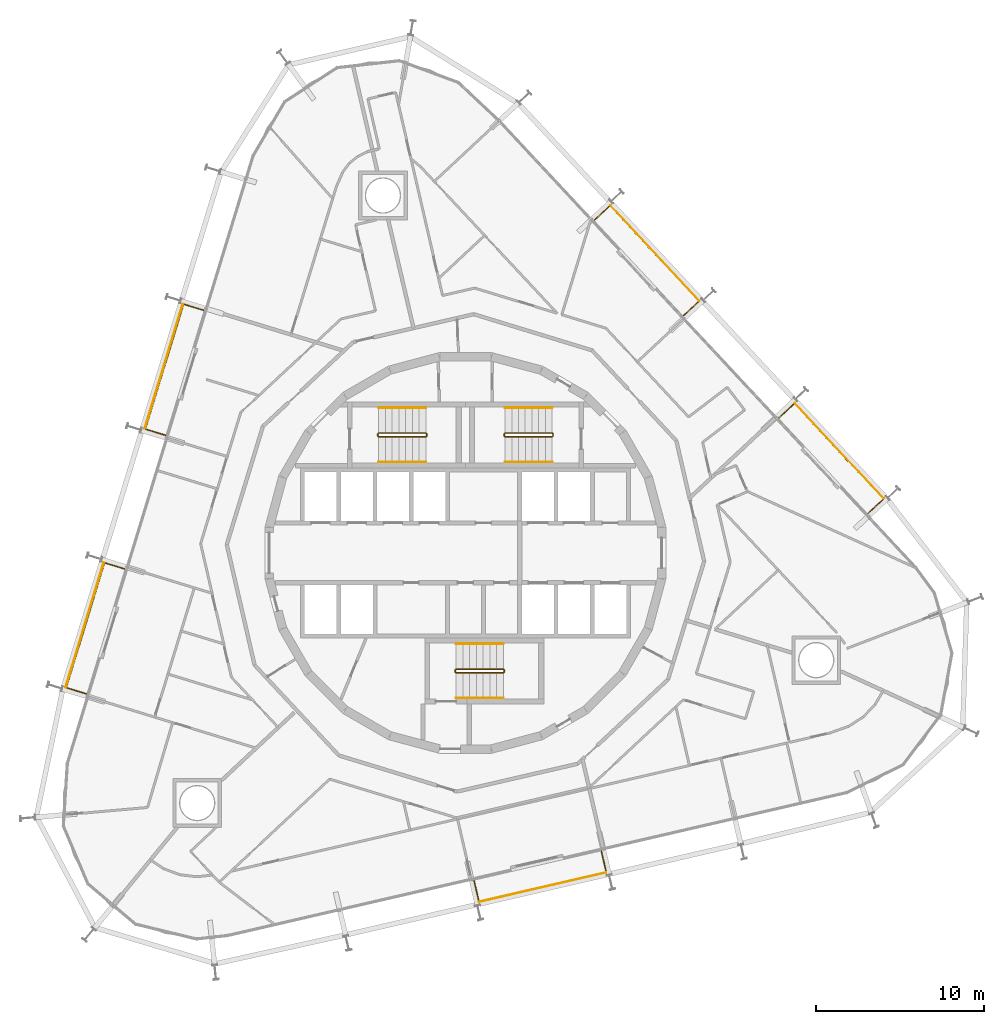
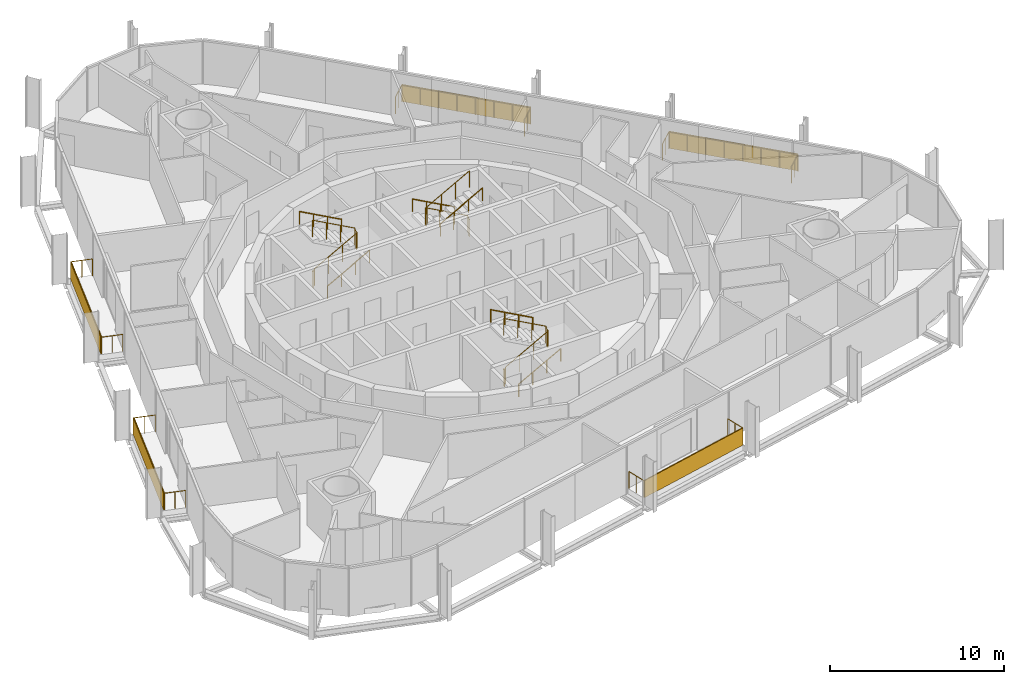
# One storey, part 18 of 18: 14 railings, 5 shading devices.
"""IFC4 building model written with IfcOpenShell, lengths in metres."""

from ifc_helpers import new_model, si_unit, direction, frame, origin, origin_2d, place, context, subcontext, project, spatial, rectangle, circle, extrude, material, layer, layer_set, type_object, element, save


model = new_model("IFC4")

# Units and contexts
model_context = context("Model", 3, precision=1e-05, world=origin(), true_north=direction((0.0, 1.0)))
body_context = subcontext(model_context, "Body", "Model", "MODEL_VIEW")
ifc_project = project(units=[si_unit("LENGTHUNIT", "METRE"), si_unit("AREAUNIT", "SQUARE_METRE"), si_unit("VOLUMEUNIT", "CUBIC_METRE"), si_unit("PLANEANGLEUNIT", "RADIAN"), si_unit("MASSUNIT", "GRAM", prefix="KILO")], contexts=[model_context])

# Site, building, storey
site_placement = place(None, origin())
site = spatial("IfcSite", under=ifc_project, at=site_placement, CompositionType="ELEMENT")
building_placement = place(site_placement, origin())
building = spatial("IfcBuilding", under=site, at=building_placement, Name="Spindle Arch Residences", CompositionType="ELEMENT")
storey_placement = place(building_placement, frame((0.0, 0.0, 130.89990234375)))
storey = spatial("IfcBuildingStorey", under=building, at=storey_placement, Name="L32", CompositionType="ELEMENT", Elevation=130.89990234375)

# Railings
ifc_material_1 = material(Name="Bronze anodised aluminium guard with glass infill", Category="aluminium")
railing_type_1 = type_object("IfcRailingType", Name="Balcony guard 1200", PredefinedType="GUARDRAIL", material=ifc_material_1)
railing_1_placement = place(storey_placement, frame((23.90185546875, 2.34619140625, 0.0)))
element("IfcRailing", 1, at=railing_1_placement, inside=storey, type_object=railing_type_1, Name="Guard L32 bay 6", PredefinedType="GUARDRAIL", context=body_context, shape_type="SweptSolid", body=[
    extrude(circle(Radius=0.02392578125, at=origin_2d()), frame((0.0, 0.0, 1.17578125), z_axis=(0.731379904041, 0.681970260323, 0.0), x_axis=(-0.681970260323, 0.731379904041, 0.0)), (0.0, 0.0, 1.0), 1.25),
    extrude(circle(Radius=0.02392578125, at=origin_2d()), frame((0.914306640625, 0.8525390625, 1.17578125), z_axis=(-0.681991953625, 0.731359675666, 0.0), x_axis=(-0.731359675666, -0.681991953625, 0.0)), (0.0, 0.0, 1.0), 7.75927734375),
    extrude(circle(Radius=0.02392578125, at=origin_2d()), frame((-4.37744140625, 6.52734375, 1.17578125), z_axis=(-0.731379904041, -0.681970260323, 0.0), x_axis=(0.681970260323, -0.731379904041, 0.0)), (0.0, 0.0, 1.0), 1.25),
    extrude(circle(Radius=0.02099609375, at=origin_2d()), origin(), (0.0, 0.0, 1.0), 1.15185546875),
    extrude(circle(Radius=0.02099609375, at=origin_2d()), frame((0.45703125, 0.42626953125, 0.0)), (0.0, 0.0, 1.0), 1.15185546875),
    extrude(circle(Radius=0.02099609375, at=origin_2d()), frame((0.914306640625, 0.8525390625, 0.0)), (0.0, 0.0, 1.0), 1.15185546875),
    extrude(circle(Radius=0.02099609375, at=origin_2d()), frame((0.158447265625, 1.663330078125, 0.0)), (0.0, 0.0, 1.0), 1.15185546875),
    extrude(circle(Radius=0.02099609375, at=origin_2d()), frame((-0.59765625, 2.473876953125, 0.0)), (0.0, 0.0, 1.0), 1.15185546875),
    extrude(circle(Radius=0.02099609375, at=origin_2d()), frame((-1.353515625, 3.28466796875, 0.0)), (0.0, 0.0, 1.0), 1.15185546875),
    extrude(circle(Radius=0.02099609375, at=origin_2d()), frame((-2.109619140625, 4.09521484375, 0.0)), (0.0, 0.0, 1.0), 1.15185546875),
    extrude(circle(Radius=0.02099609375, at=origin_2d()), frame((-2.865478515625, 4.906005859375, 0.0)), (0.0, 0.0, 1.0), 1.15185546875),
    extrude(circle(Radius=0.02099609375, at=origin_2d()), frame((-3.62158203125, 5.716552734375, 0.0)), (0.0, 0.0, 1.0), 1.15185546875),
    extrude(circle(Radius=0.02099609375, at=origin_2d()), frame((-4.37744140625, 6.52734375, 0.0)), (0.0, 0.0, 1.0), 1.15185546875),
    extrude(circle(Radius=0.02099609375, at=origin_2d()), frame((-4.83447265625, 6.10107421875, 0.0)), (0.0, 0.0, 1.0), 1.15185546875),
    extrude(circle(Radius=0.02099609375, at=origin_2d()), frame((-5.291748046875, 5.6748046875, 0.0)), (0.0, 0.0, 1.0), 1.15185546875),
])
railing_2_placement = place(storey_placement, frame((12.9501953125, 14.090576171875, 0.0)))
element("IfcRailing", 2, at=railing_2_placement, inside=storey, type_object=railing_type_1, Name="Guard L32 bay 8", PredefinedType="GUARDRAIL", context=body_context, shape_type="SweptSolid", body=[
    extrude(circle(Radius=0.02392578125, at=origin_2d()), frame((0.0, 0.0, 1.17578125), z_axis=(0.731289056092, 0.682067677317, 0.0), x_axis=(-0.682067677317, 0.731289056092, 0.0)), (0.0, 0.0, 1.0), 1.25),
    extrude(circle(Radius=0.02392578125, at=origin_2d()), frame((0.9140625, 0.8525390625, 1.17578125), z_axis=(-0.682007647712, 0.731345040635, 0.0), x_axis=(-0.731345040635, -0.682007647712, 0.0)), (0.0, 0.0, 1.0), 7.759033203125),
    extrude(circle(Radius=0.02392578125, at=origin_2d()), frame((-4.377685546875, 6.527099609375, 1.17578125), z_axis=(-0.731386486467, -0.681963200923, 0.0), x_axis=(0.681963200923, -0.731386486467, 0.0)), (0.0, 0.0, 1.0), 1.249755859375),
    extrude(circle(Radius=0.02099609375, at=origin_2d()), origin(), (0.0, 0.0, 1.0), 1.15185546875),
    extrude(circle(Radius=0.02099609375, at=origin_2d()), frame((0.45703125, 0.42626953125, 0.0)), (0.0, 0.0, 1.0), 1.15185546875),
    extrude(circle(Radius=0.02099609375, at=origin_2d()), frame((0.9140625, 0.8525390625, 0.0)), (0.0, 0.0, 1.0), 1.15185546875),
    extrude(circle(Radius=0.02099609375, at=origin_2d()), frame((0.158203125, 1.6630859375, 0.0)), (0.0, 0.0, 1.0), 1.15185546875),
    extrude(circle(Radius=0.02099609375, at=origin_2d()), frame((-0.597900390625, 2.473876953125, 0.0)), (0.0, 0.0, 1.0), 1.15185546875),
    extrude(circle(Radius=0.02099609375, at=origin_2d()), frame((-1.353759765625, 3.284423828125, 0.0)), (0.0, 0.0, 1.0), 1.15185546875),
    extrude(circle(Radius=0.02099609375, at=origin_2d()), frame((-2.10986328125, 4.09521484375, 0.0)), (0.0, 0.0, 1.0), 1.15185546875),
    extrude(circle(Radius=0.02099609375, at=origin_2d()), frame((-2.86572265625, 4.90576171875, 0.0)), (0.0, 0.0, 1.0), 1.15185546875),
    extrude(circle(Radius=0.02099609375, at=origin_2d()), frame((-3.621826171875, 5.716552734375, 0.0)), (0.0, 0.0, 1.0), 1.15185546875),
    extrude(circle(Radius=0.02099609375, at=origin_2d()), frame((-4.377685546875, 6.527099609375, 0.0)), (0.0, 0.0, 1.0), 1.15185546875),
    extrude(circle(Radius=0.02099609375, at=origin_2d()), frame((-4.834716796875, 6.10107421875, 0.0)), (0.0, 0.0, 1.0), 1.15185546875),
    extrude(circle(Radius=0.02099609375, at=origin_2d()), frame((-5.291748046875, 5.6748046875, 0.0)), (0.0, 0.0, 1.0), 1.15185546875),
])
railing_3_placement = place(storey_placement, frame((-15.5478515625, 14.40771484375, 0.0)))
element("IfcRailing", 3, at=railing_3_placement, inside=storey, type_object=railing_type_1, Name="Guard L32 bay 14", PredefinedType="GUARDRAIL", context=body_context, shape_type="SweptSolid", body=[
    extrude(circle(Radius=0.02392578125, at=origin_2d()), frame((0.0, 0.0, 1.17578125), z_axis=(-0.95629696894, 0.292397173714, 0.0), x_axis=(-0.292397173714, -0.95629696894, 0.0)), (0.0, 0.0, 1.0), 1.25),
    extrude(circle(Radius=0.02392578125, at=origin_2d()), frame((-1.1953125, 0.365478515625, 1.17578125), z_axis=(-0.29236961561, -0.956305394666, 0.0), x_axis=(0.956305394666, -0.29236961561, 0.0)), (0.0, 0.0, 1.0), 7.75927734375),
    extrude(circle(Radius=0.02392578125, at=origin_2d()), frame((-3.4638671875, -7.0546875, 1.17578125), z_axis=(0.95629696894, -0.292397173714, 0.0), x_axis=(0.292397173714, 0.95629696894, 0.0)), (0.0, 0.0, 1.0), 1.25),
    extrude(circle(Radius=0.02099609375, at=origin_2d()), origin(), (0.0, 0.0, 1.0), 1.15185546875),
    extrude(circle(Radius=0.02099609375, at=origin_2d()), frame((-0.59765625, 0.1826171875, 0.0)), (0.0, 0.0, 1.0), 1.15185546875),
    extrude(circle(Radius=0.02099609375, at=origin_2d()), frame((-1.1953125, 0.365478515625, 0.0)), (0.0, 0.0, 1.0), 1.15185546875),
    extrude(circle(Radius=0.02099609375, at=origin_2d()), frame((-1.519287109375, -0.694580078125, 0.0)), (0.0, 0.0, 1.0), 1.15185546875),
    extrude(circle(Radius=0.02099609375, at=origin_2d()), frame((-1.843505859375, -1.754638671875, 0.0)), (0.0, 0.0, 1.0), 1.15185546875),
    extrude(circle(Radius=0.02099609375, at=origin_2d()), frame((-2.16748046875, -2.814697265625, 0.0)), (0.0, 0.0, 1.0), 1.15185546875),
    extrude(circle(Radius=0.02099609375, at=origin_2d()), frame((-2.49169921875, -3.87451171875, 0.0)), (0.0, 0.0, 1.0), 1.15185546875),
    extrude(circle(Radius=0.02099609375, at=origin_2d()), frame((-2.815673828125, -4.9345703125, 0.0)), (0.0, 0.0, 1.0), 1.15185546875),
    extrude(circle(Radius=0.02099609375, at=origin_2d()), frame((-3.139892578125, -5.99462890625, 0.0)), (0.0, 0.0, 1.0), 1.15185546875),
    extrude(circle(Radius=0.02099609375, at=origin_2d()), frame((-3.4638671875, -7.0546875, 0.0)), (0.0, 0.0, 1.0), 1.15185546875),
    extrude(circle(Radius=0.02099609375, at=origin_2d()), frame((-2.8662109375, -7.2373046875, 0.0)), (0.0, 0.0, 1.0), 1.15185546875),
    extrude(circle(Radius=0.02099609375, at=origin_2d()), frame((-2.2685546875, -7.420166015625, 0.0)), (0.0, 0.0, 1.0), 1.15185546875),
])
railing_4_placement = place(storey_placement, frame((-20.242919921875, -0.948974609375, 0.0)))
element("IfcRailing", 4, at=railing_4_placement, inside=storey, type_object=railing_type_1, Name="Guard L32 bay 16", PredefinedType="GUARDRAIL", context=body_context, shape_type="SweptSolid", body=[
    extrude(circle(Radius=0.02392578125, at=origin_2d()), frame((0.0, 0.0, 1.17578125), z_axis=(-0.95629696894, 0.292397173714, 0.0), x_axis=(-0.292397173714, -0.95629696894, 0.0)), (0.0, 0.0, 1.0), 1.25),
    extrude(circle(Radius=0.02392578125, at=origin_2d()), frame((-1.1953125, 0.365478515625, 1.17578125), z_axis=(-0.29236961561, -0.956305394666, 0.0), x_axis=(0.956305394666, -0.29236961561, 0.0)), (0.0, 0.0, 1.0), 7.75927734375),
    extrude(circle(Radius=0.02392578125, at=origin_2d()), frame((-3.4638671875, -7.0546875, 1.17578125), z_axis=(0.95629696894, -0.292397173714, 0.0), x_axis=(0.292397173714, 0.95629696894, 0.0)), (0.0, 0.0, 1.0), 1.25),
    extrude(circle(Radius=0.02099609375, at=origin_2d()), origin(), (0.0, 0.0, 1.0), 1.15185546875),
    extrude(circle(Radius=0.02099609375, at=origin_2d()), frame((-0.59765625, 0.1826171875, 0.0)), (0.0, 0.0, 1.0), 1.15185546875),
    extrude(circle(Radius=0.02099609375, at=origin_2d()), frame((-1.1953125, 0.365478515625, 0.0)), (0.0, 0.0, 1.0), 1.15185546875),
    extrude(circle(Radius=0.02099609375, at=origin_2d()), frame((-1.519287109375, -0.694580078125, 0.0)), (0.0, 0.0, 1.0), 1.15185546875),
    extrude(circle(Radius=0.02099609375, at=origin_2d()), frame((-1.843505859375, -1.754638671875, 0.0)), (0.0, 0.0, 1.0), 1.15185546875),
    extrude(circle(Radius=0.02099609375, at=origin_2d()), frame((-2.16748046875, -2.814697265625, 0.0)), (0.0, 0.0, 1.0), 1.15185546875),
    extrude(circle(Radius=0.02099609375, at=origin_2d()), frame((-2.49169921875, -3.87451171875, 0.0)), (0.0, 0.0, 1.0), 1.15185546875),
    extrude(circle(Radius=0.02099609375, at=origin_2d()), frame((-2.815673828125, -4.9345703125, 0.0)), (0.0, 0.0, 1.0), 1.15185546875),
    extrude(circle(Radius=0.02099609375, at=origin_2d()), frame((-3.139892578125, -5.99462890625, 0.0)), (0.0, 0.0, 1.0), 1.15185546875),
    extrude(circle(Radius=0.02099609375, at=origin_2d()), frame((-3.4638671875, -7.0546875, 0.0)), (0.0, 0.0, 1.0), 1.15185546875),
    extrude(circle(Radius=0.02099609375, at=origin_2d()), frame((-2.8662109375, -7.2373046875, 0.0)), (0.0, 0.0, 1.0), 1.15185546875),
    extrude(circle(Radius=0.02099609375, at=origin_2d()), frame((-2.2685546875, -7.420166015625, 0.0)), (0.0, 0.0, 1.0), 1.15185546875),
])
railing_5_placement = place(storey_placement, frame((0.51220703125, -19.464599609375, 0.0)))
element("IfcRailing", 5, at=railing_5_placement, inside=storey, type_object=railing_type_1, Name="Guard L32 bay 22", PredefinedType="GUARDRAIL", context=body_context, shape_type="SweptSolid", body=[
    extrude(circle(Radius=0.02392578125, at=origin_2d()), frame((0.0, 0.0, 1.17578125), z_axis=(0.224802449297, -0.974404361028, 0.0), x_axis=(0.974404361028, 0.224802449297, 0.0)), (0.0, 0.0, 1.0), 1.25),
    extrude(circle(Radius=0.02392578125, at=origin_2d()), frame((0.281005859375, -1.218017578125, 1.17578125), z_axis=(0.974365204353, 0.224972106149, 0.0), x_axis=(-0.224972106149, 0.974365204353, 0.0)), (0.0, 0.0, 1.0), 7.75927734375),
    extrude(circle(Radius=0.02392578125, at=origin_2d()), frame((7.84130859375, 0.527587890625, 1.17578125), z_axis=(-0.224845239705, 0.974394487968, 0.0), x_axis=(-0.974394487968, -0.224845239705, 0.0)), (0.0, 0.0, 1.0), 1.249755859375),
    extrude(circle(Radius=0.02099609375, at=origin_2d()), origin(), (0.0, 0.0, 1.0), 1.15185546875),
    extrude(circle(Radius=0.02099609375, at=origin_2d()), frame((0.140625, -0.60888671875, 0.0)), (0.0, 0.0, 1.0), 1.15185546875),
    extrude(circle(Radius=0.02099609375, at=origin_2d()), frame((0.281005859375, -1.218017578125, 0.0)), (0.0, 0.0, 1.0), 1.15185546875),
    extrude(circle(Radius=0.02099609375, at=origin_2d()), frame((1.361083984375, -0.96875, 0.0)), (0.0, 0.0, 1.0), 1.15185546875),
    extrude(circle(Radius=0.02099609375, at=origin_2d()), frame((2.441162109375, -0.71923828125, 0.0)), (0.0, 0.0, 1.0), 1.15185546875),
    extrude(circle(Radius=0.02099609375, at=origin_2d()), frame((3.521240234375, -0.469970703125, 0.0)), (0.0, 0.0, 1.0), 1.15185546875),
    extrude(circle(Radius=0.02099609375, at=origin_2d()), frame((4.60107421875, -0.220458984375, 0.0)), (0.0, 0.0, 1.0), 1.15185546875),
    extrude(circle(Radius=0.02099609375, at=origin_2d()), frame((5.68115234375, 0.02880859375, 0.0)), (0.0, 0.0, 1.0), 1.15185546875),
    extrude(circle(Radius=0.02099609375, at=origin_2d()), frame((6.76123046875, 0.2783203125, 0.0)), (0.0, 0.0, 1.0), 1.15185546875),
    extrude(circle(Radius=0.02099609375, at=origin_2d()), frame((7.84130859375, 0.527587890625, 0.0)), (0.0, 0.0, 1.0), 1.15185546875),
    extrude(circle(Radius=0.02099609375, at=origin_2d()), frame((7.70068359375, 1.136474609375, 0.0)), (0.0, 0.0, 1.0), 1.15185546875),
    extrude(circle(Radius=0.02099609375, at=origin_2d()), frame((7.560302734375, 1.745361328125, 0.0)), (0.0, 0.0, 1.0), 1.15185546875),
])

# Shading devices
ifc_material_2 = material(Name="Bronze perforated cobogo screen")
ifc_layer = layer(ifc_material_2, 0.0390625)
ifc_layer_set = layer_set([ifc_layer], Name="Cobogo screen 1200")
shading_device_type = type_object("IfcShadingDeviceType", Name="Cobogo screen 1200", PredefinedType="USERDEFINED", material=ifc_layer_set)
for number, where, z_axis, x_axis, name in (
    (6, (22.199951171875, 6.063720703125, 0.0), (0.0, 0.0, 1.0), (-0.681998360062, 0.731353701619, 0.0), "Cobogo screen L32 bay 6"),
    (7, (11.248046875, 17.80810546875, 0.0), (0.0, 0.0, 1.0), (-0.681998360062, 0.731353701619, 0.0), "Cobogo screen L32 bay 8"),
    (8, (-17.916259765625, 11.074951171875, 0.0), (0.0, 0.0, 1.0), (-0.292371704723, -0.956304755963, 0.0), "Cobogo screen L32 bay 14"),
    (9, (-22.611328125, -4.28173828125, 0.0), (0.0, 0.0, 1.0), (-0.292371704723, -0.956304755963, 0.0), "Cobogo screen L32 bay 16"),
    (10, (4.58251953125, -19.849365234375, 0.0), (0.0, 0.0, 1.0), (0.974370064785, 0.224951054344, 0.0), "Cobogo screen L32 bay 22"),
):
    element("IfcShadingDevice", number, at=place(storey_placement, frame(where, z_axis=z_axis, x_axis=x_axis)), inside=storey, type_object=shading_device_type, Name=name, ObjectType="SCREEN", PredefinedType="USERDEFINED", context=body_context, shape_type="SweptSolid", body=[
        extrude(rectangle(XDim=7.75927734375, YDim=0.0390625, at=origin_2d()), origin(), (0.0, 0.0, 1.0), 1.199951171875),
    ])

# Railings
ifc_material_3 = material(Name="Steel, painted", Category="steel")
railing_type_2 = type_object("IfcRailingType", Name="Stair guard 1100", PredefinedType="GUARDRAIL", material=ifc_material_3)
railing_6_placement = place(storey_placement, frame((5.14990234375, 6.89990234375, 3.5)))
element("IfcRailing", 11, at=railing_6_placement, inside=storey, type_object=railing_type_2, Name="L32 ST1 stair guard 1", PredefinedType="GUARDRAIL", context=body_context, shape_type="SweptSolid", body=[
    extrude(circle(Radius=0.02392578125, at=origin_2d()), frame((0.0, 0.0, 1.17578125), z_axis=(-0.877357048833, 0.0, -0.479838106931), x_axis=(0.0, -1.0, 0.0)), (0.0, 0.0, 1.0), 3.191162109375),
    extrude(circle(Radius=0.02392578125, at=origin_2d()), frame((-2.7998046875, 0.0, -0.35546875), z_axis=(-0.217683172539, 0.217683172539, -0.951434744366), x_axis=(-0.707106781187, -0.707106781187, 0.0)), (0.0, 0.0, 1.0), 0.22998046875),
    extrude(circle(Radius=0.02392578125, at=origin_2d()), frame((-2.849853515625, 0.050048828125, -0.57421875), z_axis=(0.0, 1.0, 0.0), x_axis=(-1.0, 0.0, 0.0)), (0.0, 0.0, 1.0), 0.1201171875),
    extrude(circle(Radius=0.02392578125, at=origin_2d()), frame((-2.849853515625, 0.170166015625, -0.57421875), z_axis=(0.707106781187, 0.707106781187, 0.0), x_axis=(-0.707106781187, 0.707106781187, 0.0)), (0.0, 0.0, 1.0), 0.07080078125),
    extrude(circle(Radius=0.02392578125, at=origin_2d()), frame((-2.7998046875, 0.22021484375, -0.57421875), z_axis=(0.877357048833, 0.0, -0.479838106931), x_axis=(0.0, 1.0, 0.0)), (0.0, 0.0, 1.0), 3.191162109375),
    extrude(circle(Radius=0.02392578125, at=origin_2d()), frame((0.0, 0.22021484375, -2.10546875), z_axis=(0.217683172539, -0.217683172539, -0.951434744366), x_axis=(0.707106781187, 0.707106781187, 0.0)), (0.0, 0.0, 1.0), 0.22998046875),
    extrude(circle(Radius=0.02392578125, at=origin_2d()), frame((0.050048828125, 0.170166015625, -2.32421875), z_axis=(0.0, -1.0, 0.0), x_axis=(1.0, 0.0, 0.0)), (0.0, 0.0, 1.0), 0.1201171875),
    extrude(circle(Radius=0.02099609375, at=origin_2d()), origin(), (0.0, 0.0, 1.0), 1.15185546875),
    extrude(circle(Radius=0.02099609375, at=origin_2d()), frame((-0.933349609375, 0.0, -0.510498046875)), (0.0, 0.0, 1.0), 1.15185546875),
    extrude(circle(Radius=0.02099609375, at=origin_2d()), frame((-1.866455078125, 0.0, -1.020751953125)), (0.0, 0.0, 1.0), 1.15185546875),
    extrude(circle(Radius=0.02099609375, at=origin_2d()), frame((-2.7998046875, 0.0, -1.53125)), (0.0, 0.0, 1.0), 1.15185546875),
    extrude(circle(Radius=0.02099609375, at=origin_2d()), frame((-2.849853515625, 0.050048828125, -1.75)), (0.0, 0.0, 1.0), 1.15185546875),
    extrude(circle(Radius=0.02099609375, at=origin_2d()), frame((-2.849853515625, 0.170166015625, -1.75)), (0.0, 0.0, 1.0), 1.15185546875),
    extrude(circle(Radius=0.02099609375, at=origin_2d()), frame((-2.7998046875, 0.22021484375, -1.75)), (0.0, 0.0, 1.0), 1.15185546875),
    extrude(circle(Radius=0.02099609375, at=origin_2d()), frame((-1.866455078125, 0.22021484375, -2.260498046875)), (0.0, 0.0, 1.0), 1.15185546875),
    extrude(circle(Radius=0.02099609375, at=origin_2d()), frame((-0.933349609375, 0.22021484375, -2.770751953125)), (0.0, 0.0, 1.0), 1.15185546875),
    extrude(circle(Radius=0.02099609375, at=origin_2d()), frame((0.0, 0.22021484375, -3.28125)), (0.0, 0.0, 1.0), 1.15185546875),
    extrude(circle(Radius=0.02099609375, at=origin_2d()), frame((0.050048828125, 0.170166015625, -3.5)), (0.0, 0.0, 1.0), 1.15185546875),
    extrude(circle(Radius=0.02099609375, at=origin_2d()), frame((0.050048828125, 0.050048828125, -3.5)), (0.0, 0.0, 1.0), 1.15185546875),
])
railing_7_placement = place(storey_placement, frame((-5.14990234375, 7.1201171875, 3.5)))
element("IfcRailing", 12, at=railing_7_placement, inside=storey, type_object=railing_type_2, Name="L32 ST2 stair guard 1", PredefinedType="GUARDRAIL", context=body_context, shape_type="SweptSolid", body=[
    extrude(circle(Radius=0.02392578125, at=origin_2d()), frame((0.0, 0.0, 1.17578125), z_axis=(0.877357048833, 0.0, -0.479838106931), x_axis=(0.0, 1.0, 0.0)), (0.0, 0.0, 1.0), 3.191162109375),
    extrude(circle(Radius=0.02392578125, at=origin_2d()), frame((2.7998046875, 0.0, -0.35546875), z_axis=(0.217683172539, -0.217683172539, -0.951434744366), x_axis=(0.707106781187, 0.707106781187, 0.0)), (0.0, 0.0, 1.0), 0.22998046875),
    extrude(circle(Radius=0.02392578125, at=origin_2d()), frame((2.849853515625, -0.050048828125, -0.57421875), z_axis=(0.0, -1.0, 0.0), x_axis=(1.0, 0.0, 0.0)), (0.0, 0.0, 1.0), 0.1201171875),
    extrude(circle(Radius=0.02392578125, at=origin_2d()), frame((2.849853515625, -0.170166015625, -0.57421875), z_axis=(-0.707106781187, -0.707106781187, 0.0), x_axis=(0.707106781187, -0.707106781187, 0.0)), (0.0, 0.0, 1.0), 0.07080078125),
    extrude(circle(Radius=0.02392578125, at=origin_2d()), frame((2.7998046875, -0.22021484375, -0.57421875), z_axis=(-0.877357048833, 0.0, -0.479838106931), x_axis=(0.0, -1.0, 0.0)), (0.0, 0.0, 1.0), 3.191162109375),
    extrude(circle(Radius=0.02392578125, at=origin_2d()), frame((0.0, -0.22021484375, -2.10546875), z_axis=(-0.217683172539, 0.217683172539, -0.951434744366), x_axis=(-0.707106781187, -0.707106781187, 0.0)), (0.0, 0.0, 1.0), 0.22998046875),
    extrude(circle(Radius=0.02392578125, at=origin_2d()), frame((-0.050048828125, -0.170166015625, -2.32421875), z_axis=(0.0, 1.0, 0.0), x_axis=(-1.0, 0.0, 0.0)), (0.0, 0.0, 1.0), 0.1201171875),
    extrude(circle(Radius=0.02099609375, at=origin_2d()), origin(), (0.0, 0.0, 1.0), 1.15185546875),
    extrude(circle(Radius=0.02099609375, at=origin_2d()), frame((0.933349609375, 0.0, -0.510498046875)), (0.0, 0.0, 1.0), 1.15185546875),
    extrude(circle(Radius=0.02099609375, at=origin_2d()), frame((1.866455078125, 0.0, -1.020751953125)), (0.0, 0.0, 1.0), 1.15185546875),
    extrude(circle(Radius=0.02099609375, at=origin_2d()), frame((2.7998046875, 0.0, -1.53125)), (0.0, 0.0, 1.0), 1.15185546875),
    extrude(circle(Radius=0.02099609375, at=origin_2d()), frame((2.849853515625, -0.050048828125, -1.75)), (0.0, 0.0, 1.0), 1.15185546875),
    extrude(circle(Radius=0.02099609375, at=origin_2d()), frame((2.849853515625, -0.170166015625, -1.75)), (0.0, 0.0, 1.0), 1.15185546875),
    extrude(circle(Radius=0.02099609375, at=origin_2d()), frame((2.7998046875, -0.22021484375, -1.75)), (0.0, 0.0, 1.0), 1.15185546875),
    extrude(circle(Radius=0.02099609375, at=origin_2d()), frame((1.866455078125, -0.22021484375, -2.260498046875)), (0.0, 0.0, 1.0), 1.15185546875),
    extrude(circle(Radius=0.02099609375, at=origin_2d()), frame((0.933349609375, -0.22021484375, -2.770751953125)), (0.0, 0.0, 1.0), 1.15185546875),
    extrude(circle(Radius=0.02099609375, at=origin_2d()), frame((0.0, -0.22021484375, -3.28125)), (0.0, 0.0, 1.0), 1.15185546875),
    extrude(circle(Radius=0.02099609375, at=origin_2d()), frame((-0.050048828125, -0.170166015625, -3.5)), (0.0, 0.0, 1.0), 1.15185546875),
    extrude(circle(Radius=0.02099609375, at=origin_2d()), frame((-0.050048828125, -0.050048828125, -3.5)), (0.0, 0.0, 1.0), 1.15185546875),
])
railing_8_placement = place(storey_placement, frame((-0.550048828125, -6.89990234375, 3.5)))
element("IfcRailing", 13, at=railing_8_placement, inside=storey, type_object=railing_type_2, Name="L32 ST3 stair guard 1", PredefinedType="GUARDRAIL", context=body_context, shape_type="SweptSolid", body=[
    extrude(circle(Radius=0.02392578125, at=origin_2d()), frame((0.0, 0.0, 1.17578125), z_axis=(0.877374661878, 0.0, -0.479805901063), x_axis=(0.0, 1.0, 0.0)), (0.0, 0.0, 1.0), 3.19140625),
    extrude(circle(Radius=0.02392578125, at=origin_2d()), frame((2.800048828125, 0.0, -0.35546875), z_axis=(0.217683172539, -0.217683172539, -0.951434744366), x_axis=(0.707106781187, 0.707106781187, 0.0)), (0.0, 0.0, 1.0), 0.22998046875),
    extrude(circle(Radius=0.02392578125, at=origin_2d()), frame((2.85009765625, -0.050048828125, -0.57421875), z_axis=(0.0, -1.0, 0.0), x_axis=(1.0, 0.0, 0.0)), (0.0, 0.0, 1.0), 0.1201171875),
    extrude(circle(Radius=0.02392578125, at=origin_2d()), frame((2.85009765625, -0.170166015625, -0.57421875), z_axis=(-0.707106781187, -0.707106781187, 0.0), x_axis=(0.707106781187, -0.707106781187, 0.0)), (0.0, 0.0, 1.0), 0.07080078125),
    extrude(circle(Radius=0.02392578125, at=origin_2d()), frame((2.800048828125, -0.22021484375, -0.57421875), z_axis=(-0.877374661878, 0.0, -0.479805901063), x_axis=(0.0, -1.0, 0.0)), (0.0, 0.0, 1.0), 3.19140625),
    extrude(circle(Radius=0.02392578125, at=origin_2d()), frame((0.0, -0.22021484375, -2.10546875), z_axis=(-0.217683172539, 0.217683172539, -0.951434744366), x_axis=(-0.707106781187, -0.707106781187, 0.0)), (0.0, 0.0, 1.0), 0.22998046875),
    extrude(circle(Radius=0.02392578125, at=origin_2d()), frame((-0.050048828125, -0.170166015625, -2.32421875), z_axis=(0.0, 1.0, 0.0), x_axis=(-1.0, 0.0, 0.0)), (0.0, 0.0, 1.0), 0.1201171875),
    extrude(circle(Radius=0.02099609375, at=origin_2d()), origin(), (0.0, 0.0, 1.0), 1.15185546875),
    extrude(circle(Radius=0.02099609375, at=origin_2d()), frame((0.933349609375, 0.0, -0.510498046875)), (0.0, 0.0, 1.0), 1.15185546875),
    extrude(circle(Radius=0.02099609375, at=origin_2d()), frame((1.86669921875, 0.0, -1.020751953125)), (0.0, 0.0, 1.0), 1.15185546875),
    extrude(circle(Radius=0.02099609375, at=origin_2d()), frame((2.800048828125, 0.0, -1.53125)), (0.0, 0.0, 1.0), 1.15185546875),
    extrude(circle(Radius=0.02099609375, at=origin_2d()), frame((2.85009765625, -0.050048828125, -1.75)), (0.0, 0.0, 1.0), 1.15185546875),
    extrude(circle(Radius=0.02099609375, at=origin_2d()), frame((2.85009765625, -0.170166015625, -1.75)), (0.0, 0.0, 1.0), 1.15185546875),
    extrude(circle(Radius=0.02099609375, at=origin_2d()), frame((2.800048828125, -0.22021484375, -1.75)), (0.0, 0.0, 1.0), 1.15185546875),
    extrude(circle(Radius=0.02099609375, at=origin_2d()), frame((1.86669921875, -0.22021484375, -2.260498046875)), (0.0, 0.0, 1.0), 1.15185546875),
    extrude(circle(Radius=0.02099609375, at=origin_2d()), frame((0.933349609375, -0.22021484375, -2.770751953125)), (0.0, 0.0, 1.0), 1.15185546875),
    extrude(circle(Radius=0.02099609375, at=origin_2d()), frame((0.0, -0.22021484375, -3.28125)), (0.0, 0.0, 1.0), 1.15185546875),
    extrude(circle(Radius=0.02099609375, at=origin_2d()), frame((-0.050048828125, -0.170166015625, -3.5)), (0.0, 0.0, 1.0), 1.15185546875),
    extrude(circle(Radius=0.02099609375, at=origin_2d()), frame((-0.050048828125, -0.050048828125, -3.5)), (0.0, 0.0, 1.0), 1.15185546875),
])
ifc_material_4 = material(Name="Steel, painted", Category="steel")
railing_type_3 = type_object("IfcRailingType", Name="Stair handrail 900", PredefinedType="HANDRAIL", material=ifc_material_4)
railing_9_placement = place(storey_placement, frame((5.14990234375, 8.6201171875, 0.21875)))
element("IfcRailing", 14, at=railing_9_placement, inside=storey, type_object=railing_type_3, Name="L32 ST1 stair handrail 1", PredefinedType="HANDRAIL", context=body_context, shape_type="SweptSolid", body=[
    extrude(circle(Radius=0.02392578125, at=origin_2d()), frame((0.0, 0.0, 0.8759765625), z_axis=(-0.877357048833, 0.0, 0.479838106931), x_axis=(0.0, -1.0, 0.0)), (0.0, 0.0, 1.0), 3.191162109375),
    extrude(circle(Radius=0.02099609375, at=origin_2d()), origin(), (0.0, 0.0, 1.0), 0.851806640625),
    extrude(circle(Radius=0.02099609375, at=origin_2d()), frame((-0.933349609375, 0.0, 0.510498046875)), (0.0, 0.0, 1.0), 0.851806640625),
    extrude(circle(Radius=0.02099609375, at=origin_2d()), frame((-1.866455078125, 0.0, 1.020751953125)), (0.0, 0.0, 1.0), 0.851806640625),
    extrude(circle(Radius=0.02099609375, at=origin_2d()), frame((-2.7998046875, 0.0, 1.53125)), (0.0, 0.0, 1.0), 0.851806640625),
])
for number, where, name in (
    (15, (2.35009765625, 5.39990234375, 1.96875), "L32 ST1 stair handrail 2"),
    (16, (-5.14990234375, 5.39990234375, 0.21875), "L32 ST2 stair handrail 1"),
):
    element("IfcRailing", number, at=place(storey_placement, frame(where)), inside=storey, type_object=railing_type_3, Name=name, PredefinedType="HANDRAIL", context=body_context, shape_type="SweptSolid", body=[
        extrude(circle(Radius=0.02392578125, at=origin_2d()), frame((0.0, 0.0, 0.8759765625), z_axis=(0.877357048833, 0.0, 0.479838106931), x_axis=(0.0, 1.0, 0.0)), (0.0, 0.0, 1.0), 3.191162109375),
        extrude(circle(Radius=0.02099609375, at=origin_2d()), origin(), (0.0, 0.0, 1.0), 0.851806640625),
        extrude(circle(Radius=0.02099609375, at=origin_2d()), frame((0.933349609375, 0.0, 0.510498046875)), (0.0, 0.0, 1.0), 0.851806640625),
        extrude(circle(Radius=0.02099609375, at=origin_2d()), frame((1.866455078125, 0.0, 1.020751953125)), (0.0, 0.0, 1.0), 0.851806640625),
        extrude(circle(Radius=0.02099609375, at=origin_2d()), frame((2.7998046875, 0.0, 1.53125)), (0.0, 0.0, 1.0), 0.851806640625),
    ])
railing_10_placement = place(storey_placement, frame((-2.35009765625, 8.6201171875, 1.96875)))
element("IfcRailing", 17, at=railing_10_placement, inside=storey, type_object=railing_type_3, Name="L32 ST2 stair handrail 2", PredefinedType="HANDRAIL", context=body_context, shape_type="SweptSolid", body=[
    extrude(circle(Radius=0.02392578125, at=origin_2d()), frame((0.0, 0.0, 0.8759765625), z_axis=(-0.877357048833, 0.0, 0.479838106931), x_axis=(0.0, -1.0, 0.0)), (0.0, 0.0, 1.0), 3.191162109375),
    extrude(circle(Radius=0.02099609375, at=origin_2d()), origin(), (0.0, 0.0, 1.0), 0.851806640625),
    extrude(circle(Radius=0.02099609375, at=origin_2d()), frame((-0.933349609375, 0.0, 0.510498046875)), (0.0, 0.0, 1.0), 0.851806640625),
    extrude(circle(Radius=0.02099609375, at=origin_2d()), frame((-1.866455078125, 0.0, 1.020751953125)), (0.0, 0.0, 1.0), 0.851806640625),
    extrude(circle(Radius=0.02099609375, at=origin_2d()), frame((-2.7998046875, 0.0, 1.53125)), (0.0, 0.0, 1.0), 0.851806640625),
])
railing_11_placement = place(storey_placement, frame((-0.550048828125, -8.6201171875, 0.21875)))
element("IfcRailing", 18, at=railing_11_placement, inside=storey, type_object=railing_type_3, Name="L32 ST3 stair handrail 1", PredefinedType="HANDRAIL", context=body_context, shape_type="SweptSolid", body=[
    extrude(circle(Radius=0.02392578125, at=origin_2d()), frame((0.0, 0.0, 0.8759765625), z_axis=(0.877374661878, 0.0, 0.479805901063), x_axis=(0.0, 1.0, 0.0)), (0.0, 0.0, 1.0), 3.19140625),
    extrude(circle(Radius=0.02099609375, at=origin_2d()), origin(), (0.0, 0.0, 1.0), 0.851806640625),
    extrude(circle(Radius=0.02099609375, at=origin_2d()), frame((0.933349609375, 0.0, 0.510498046875)), (0.0, 0.0, 1.0), 0.851806640625),
    extrude(circle(Radius=0.02099609375, at=origin_2d()), frame((1.86669921875, 0.0, 1.020751953125)), (0.0, 0.0, 1.0), 0.851806640625),
    extrude(circle(Radius=0.02099609375, at=origin_2d()), frame((2.800048828125, 0.0, 1.53125)), (0.0, 0.0, 1.0), 0.851806640625),
])
railing_12_placement = place(storey_placement, frame((2.25, -5.39990234375, 1.96875)))
element("IfcRailing", 19, at=railing_12_placement, inside=storey, type_object=railing_type_3, Name="L32 ST3 stair handrail 2", PredefinedType="HANDRAIL", context=body_context, shape_type="SweptSolid", body=[
    extrude(circle(Radius=0.02392578125, at=origin_2d()), frame((0.0, 0.0, 0.8759765625), z_axis=(-0.877374661878, 0.0, 0.479805901063), x_axis=(0.0, -1.0, 0.0)), (0.0, 0.0, 1.0), 3.19140625),
    extrude(circle(Radius=0.02099609375, at=origin_2d()), origin(), (0.0, 0.0, 1.0), 0.851806640625),
    extrude(circle(Radius=0.02099609375, at=origin_2d()), frame((-0.933349609375, 0.0, 0.510498046875)), (0.0, 0.0, 1.0), 0.851806640625),
    extrude(circle(Radius=0.02099609375, at=origin_2d()), frame((-1.86669921875, 0.0, 1.020751953125)), (0.0, 0.0, 1.0), 0.851806640625),
    extrude(circle(Radius=0.02099609375, at=origin_2d()), frame((-2.800048828125, 0.0, 1.53125)), (0.0, 0.0, 1.0), 0.851806640625),
])

save(model, "model.ifc")
